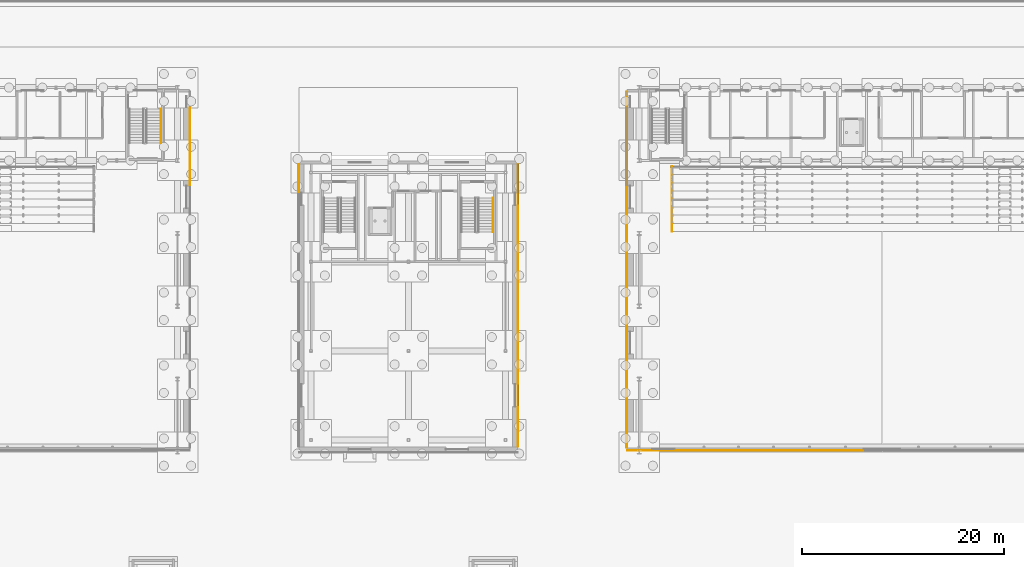
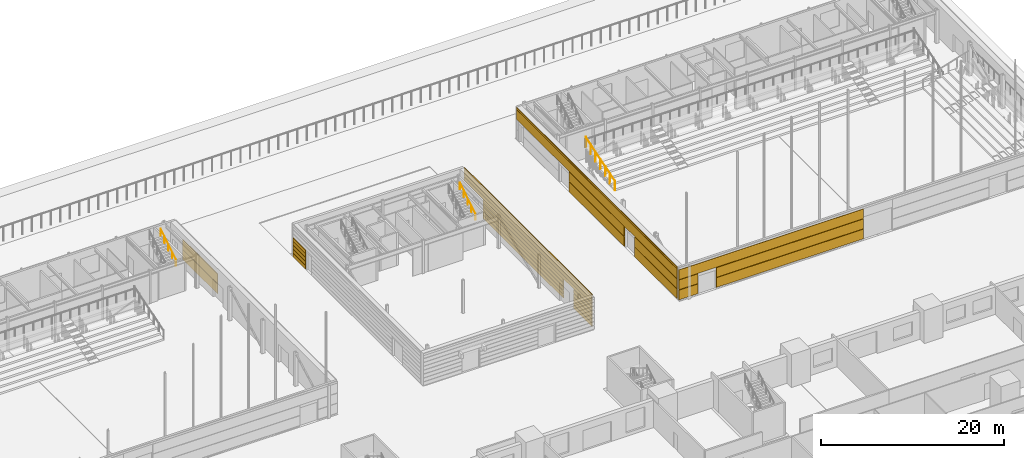
# One storey, part 128 of 139: 32 coverings, 3 railings.
"""IFC4 building model written with IfcOpenShell, lengths in metres."""

import ifcopenshell
import ifcopenshell.guid

model = None  # the IFC model being written
_history = None  # IfcOwnerHistory: only IFC2X3 demands one
_inside = {}  # id of a spatial element -> (the spatial element, [elements in it])
_under = {}  # id of a project, library or spatial element -> (it, [spatial elements below it])
_declared = {}  # id of a project -> (the project, [libraries it declares])
_typed = {}  # id of a type object -> (the type object, [elements of that type])
_made_of = {}  # id of a material, layer set ... -> (it, [elements and type objects made of it])


def new_model(schema):
    """Start an empty IFC model of exactly this schema.

    Asked for "IFC4X3", IfcOpenShell would pick the latest addendum, in which some entities
    have other attributes; the version numbers below select the first issue.
    IFC2X3 requires an IfcOwnerHistory on every rooted entity: one is made here for all.
    """
    global model, _history
    if schema == "IFC4X3":
        model = ifcopenshell.file(schema_version=(4, 3, 0, 0))
    else:
        model = ifcopenshell.file(schema=schema)
    _inside.clear()
    _under.clear()
    _declared.clear()
    _typed.clear()
    _made_of.clear()
    _history = None
    if model.schema == "IFC2X3":
        org = make("IfcOrganization", Name="unknown")
        user = make(
            "IfcPersonAndOrganization",
            ThePerson=make("IfcPerson", FamilyName="unknown"),
            TheOrganization=org,
        )
        app = make(
            "IfcApplication",
            ApplicationDeveloper=org,
            Version="unknown",
            ApplicationFullName="unknown",
            ApplicationIdentifier="unknown",
        )
        _history = make(
            "IfcOwnerHistory",
            OwningUser=user,
            OwningApplication=app,
            ChangeAction="ADDED",
            CreationDate=0,
        )
    return model


def make(cls, **values):
    """One entity of the class cls with the attributes given. An attribute that is None is left unset."""
    return model.create_entity(
        cls, **{name: value for name, value in values.items() if value is not None}
    )


def rooted(cls, **values):
    """An entity with a GlobalId (a new one), such as an element, a storey or a relation."""
    return make(cls, GlobalId=ifcopenshell.guid.new(), OwnerHistory=_history, **values)


def si_unit(unit_type, name, prefix=None):
    """IfcSIUnit, for example si_unit("LENGTHUNIT", "METRE", prefix="MILLI")."""
    return make("IfcSIUnit", UnitType=unit_type, Prefix=prefix, Name=name)


def assignment(units):
    """IfcUnitAssignment: the units of a project."""
    return None if units is None else make("IfcUnitAssignment", Units=units)


def point(xyz):
    """IfcCartesianPoint."""
    return None if xyz is None else make("IfcCartesianPoint", Coordinates=xyz)


def direction(xyz):
    """IfcDirection."""
    return None if xyz is None else make("IfcDirection", DirectionRatios=xyz)


def frame(location, z_axis=None, x_axis=None):
    """IfcAxis2Placement3D, a coordinate frame: its origin and axes. An axis left out is left unset."""
    return make(
        "IfcAxis2Placement3D",
        Location=point(location),
        Axis=direction(z_axis),
        RefDirection=direction(x_axis),
    )


def frame_2d(location, x_axis=None):
    """IfcAxis2Placement2D, a coordinate frame in the plane: its origin and x axis."""
    return make(
        "IfcAxis2Placement2D", Location=point(location), RefDirection=direction(x_axis)
    )


def origin():
    """The frame at (0, 0, 0) with its axes left unset."""
    return frame((0.0, 0.0, 0.0))


def origin_2d():
    """The frame at (0, 0) in the plane with its x axis left unset."""
    return frame_2d((0.0, 0.0))


def place(relative_to, where):
    """IfcLocalPlacement: puts the frame where relative to a parent placement (None: the world)."""
    return make(
        "IfcLocalPlacement", PlacementRelTo=relative_to, RelativePlacement=where
    )


def context(
    kind, dimensions, precision=None, world=None, true_north=None, identifier=None
):
    """IfcGeometricRepresentationContext, for example the 3D "Model" context."""
    return make(
        "IfcGeometricRepresentationContext",
        ContextIdentifier=identifier,
        ContextType=kind,
        CoordinateSpaceDimension=dimensions,
        Precision=precision,
        WorldCoordinateSystem=world,
        TrueNorth=true_north,
    )


def subcontext(parent, identifier, kind, view, scale=None):
    """IfcGeometricRepresentationSubContext, for example "Body" below "Model"."""
    return make(
        "IfcGeometricRepresentationSubContext",
        ContextIdentifier=identifier,
        ContextType=kind,
        ParentContext=parent,
        TargetScale=scale,
        TargetView=view,
    )


def project(units=None, contexts=None):
    """IfcProject with its units and contexts."""
    return rooted(
        "IfcProject",
        Name="project",
        RepresentationContexts=contexts,
        UnitsInContext=assignment(units),
    )


def spatial(cls, under=None, at=None, **own):
    """A site, building, storey or space (cls), placed at a placement, below another one or the project."""
    s = rooted(cls, ObjectPlacement=at, **own)
    if under is not None:
        _under.setdefault(under.id(), (under, []))[1].append(s)
    return s


def profile(cls, at=None, kind="AREA", **sizes):
    """A parametric profile (cls). Its sizes go by their IFC names, for example OverallWidth=200.0."""
    return make(cls, ProfileType=kind, Position=at, **sizes)


def rectangle(**sizes):
    """IfcRectangleProfileDef."""
    return profile("IfcRectangleProfileDef", **sizes)


def circle(**sizes):
    """IfcCircleProfileDef."""
    return profile("IfcCircleProfileDef", **sizes)


def extrude(swept, where, along, depth):
    """IfcExtrudedAreaSolid: the profile swept, set in the frame where, extruded along a direction by depth."""
    return make(
        "IfcExtrudedAreaSolid",
        SweptArea=swept,
        Position=where,
        ExtrudedDirection=direction(along),
        Depth=depth,
    )


def shape(context_of_items, identifier, shape_type, items):
    """IfcShapeRepresentation: the items that make up one representation, for example the "Body"."""
    return make(
        "IfcShapeRepresentation",
        ContextOfItems=context_of_items,
        RepresentationIdentifier=identifier,
        RepresentationType=shape_type,
        Items=items,
    )


def material(Name=None, Category=None):
    """IfcMaterial."""
    return make("IfcMaterial", Name=Name, Category=Category)


def layer(
    of_material, thickness, ventilated=None, Name=None, Category=None, Priority=None
):
    """IfcMaterialLayer: one layer of a wall or slab, of a material (None: an air gap)."""
    return make(
        "IfcMaterialLayer",
        Material=of_material,
        LayerThickness=thickness,
        IsVentilated=ventilated,
        Name=Name,
        Category=Category,
        Priority=Priority,
    )


def layer_set(layers, Name=None):
    """IfcMaterialLayerSet."""
    return make("IfcMaterialLayerSet", MaterialLayers=layers, LayerSetName=Name)


def made_of(thing, what):
    """Note that an element or type object is made of a material, layer set ...; save() writes the relation."""
    if what is not None:
        _made_of.setdefault(what.id(), (what, []))[1].append(thing)
    return thing


def type_object(cls, material=None, **own):
    """A type object (cls), such as IfcWallType, which elements share."""
    return made_of(rooted(cls, **own), material)


def element(
    cls,
    number,
    at=None,
    inside=None,
    cuts=None,
    type_object=None,
    material=None,
    context=None,
    identifier="Body",
    shape_type=None,
    held_by="IfcProductDefinitionShape",
    body=None,
    shapes=None,
    **own,
):
    """One element of the class cls, such as IfcWall. Its Tag is "e" and its number.

    at: its placement. inside: the storey or other place that contains it. cuts: it is an
    opening in that element (IfcRelVoidsElement). A single representation is given by context,
    identifier, shape_type and body (its items); several are given by shapes. held_by: the class
    of the entity that holds the representations. save() writes the other relations.
    """
    e = rooted(cls, Tag="e%d" % number, ObjectPlacement=at, **own)
    if body is not None:
        shapes = [shape(context, identifier, shape_type, body)]
    if shapes is not None:
        e.Representation = make(held_by, Representations=shapes)
    if inside is not None:
        _inside.setdefault(inside.id(), (inside, []))[1].append(e)
    if cuts is not None:
        rooted(
            "IfcRelVoidsElement", RelatingBuildingElement=cuts, RelatedOpeningElement=e
        )
    if type_object is not None:
        _typed.setdefault(type_object.id(), (type_object, []))[1].append(e)
    return made_of(e, material)


def aggregate(whole, parts):
    """IfcRelAggregates: a whole, such as a stair, and the parts it consists of."""
    return rooted("IfcRelAggregates", RelatingObject=whole, RelatedObjects=parts)


def save(model, path):
    """Write the relations noted so far, then the file.

    IfcRelAggregates (storeys below a building ...), IfcRelContainedInSpatialStructure (elements
    in a storey), IfcRelDefinesByType, IfcRelAssociatesMaterial and IfcRelDeclares: one each for
    every whole, place, type object, material and project.
    """
    for whole, parts in _under.values():
        aggregate(whole, parts)
    for where, things in _inside.values():
        rooted(
            "IfcRelContainedInSpatialStructure",
            RelatedElements=things,
            RelatingStructure=where,
        )
    for kind, things in _typed.values():
        rooted("IfcRelDefinesByType", RelatedObjects=things, RelatingType=kind)
    for what, things in _made_of.values():
        rooted("IfcRelAssociatesMaterial", RelatedObjects=things, RelatingMaterial=what)
    for by, libraries in _declared.values():
        rooted("IfcRelDeclares", RelatingContext=by, RelatedDefinitions=libraries)
    model.write(path)


model = new_model("IFC4")

# Units and contexts
model_context = context("Model", 3, precision=1e-05, world=origin(), true_north=direction((0.0, 1.0)))
body_context = subcontext(model_context, "Body", "Model", "MODEL_VIEW")
ifc_project = project(units=[si_unit("LENGTHUNIT", "METRE"), si_unit("AREAUNIT", "SQUARE_METRE"), si_unit("VOLUMEUNIT", "CUBIC_METRE"), si_unit("PLANEANGLEUNIT", "RADIAN"), si_unit("MASSUNIT", "GRAM", prefix="KILO")], contexts=[model_context])

# Site, building, storey
site_placement = place(None, origin())
site = spatial("IfcSite", under=ifc_project, at=site_placement, CompositionType="ELEMENT")
building_placement = place(site_placement, origin())
building = spatial("IfcBuilding", under=site, at=building_placement, Name="Verrick Yard Athletic Hall", CompositionType="ELEMENT")
storey_placement = place(building_placement, origin())
storey = spatial("IfcBuildingStorey", under=building, at=storey_placement, Name="L00", CompositionType="ELEMENT", Elevation=0.0)

# Railings
ifc_material_1 = material(Name="Stainless steel 316", Category="steel")
railing_type_1 = type_object("IfcRailingType", Name="HB seating guard 1100", PredefinedType="GUARDRAIL", material=ifc_material_1)
railing_placement = place(storey_placement, frame((124.85009765625, 93.800048828125, 0.0)))
element("IfcRailing", 1, at=railing_placement, inside=storey, type_object=railing_type_1, Name="HB-GD-RSA1-w", PredefinedType="GUARDRAIL", context=body_context, shape_type="SweptSolid", body=[
    extrude(circle(Radius=0.02392578125, at=origin_2d()), frame((0.0, 0.0, 1.326171875), z_axis=(0.0, 0.95447868226, 0.298279139585), x_axis=(-1.0, 0.0, 0.0)), (0.0, 0.0, 1.0), 6.705078125),
    extrude(circle(Radius=0.02099609375, at=origin_2d()), origin(), (0.0, 0.0, 1.0), 1.302001953125),
    extrude(circle(Radius=0.02099609375, at=origin_2d()), frame((0.0, 1.066650390625, 0.333251953125)), (0.0, 0.0, 1.0), 1.302001953125),
    extrude(circle(Radius=0.02099609375, at=origin_2d()), frame((0.0, 2.13330078125, 0.666748046875)), (0.0, 0.0, 1.0), 1.302001953125),
    extrude(circle(Radius=0.02099609375, at=origin_2d()), frame((0.0, 3.199951171875, 1.0)), (0.0, 0.0, 1.0), 1.302001953125),
    extrude(circle(Radius=0.02099609375, at=origin_2d()), frame((0.0, 4.2666015625, 1.333251953125)), (0.0, 0.0, 1.0), 1.302001953125),
    extrude(circle(Radius=0.02099609375, at=origin_2d()), frame((0.0, 5.333251953125, 1.666748046875)), (0.0, 0.0, 1.0), 1.302001953125),
    extrude(circle(Radius=0.02099609375, at=origin_2d()), frame((0.0, 6.39990234375, 2.0)), (0.0, 0.0, 1.0), 1.302001953125),
])
ifc_material_2 = material(Name="Stainless steel", Category="steel")
railing_type_2 = type_object("IfcRailingType", Name="Stair handrail 900", PredefinedType="HANDRAIL", material=ifc_material_2)
for number, where, name in (
    (2, (107.14990234375, 93.739990234375, 2.369140625), "L00 Climbing hall east stair handrail 2"),
    (3, (74.35009765625, 102.514892578125, 2.369140625), "L00 Sports Hall B east band stair handrail 2"),
):
    element("IfcRailing", number, at=place(storey_placement, frame(where)), inside=storey, type_object=railing_type_2, Name=name, PredefinedType="HANDRAIL", context=body_context, shape_type="SweptSolid", body=[
        extrude(circle(Radius=0.02392578125, at=origin_2d()), frame((0.0, 0.0, 0.8759765625), z_axis=(0.0, 0.855836976705, 0.517245656632), x_axis=(-1.0, 0.0, 0.0)), (0.0, 0.0, 1.0), 3.926025390625),
        extrude(circle(Radius=0.02099609375, at=origin_2d()), origin(), (0.0, 0.0, 1.0), 0.851806640625),
        extrude(circle(Radius=0.02099609375, at=origin_2d()), frame((0.0, 0.840087890625, 0.5078125)), (0.0, 0.0, 1.0), 0.851806640625),
        extrude(circle(Radius=0.02099609375, at=origin_2d()), frame((0.0, 1.68017578125, 1.015380859375)), (0.0, 0.0, 1.0), 0.851806640625),
        extrude(circle(Radius=0.02099609375, at=origin_2d()), frame((0.0, 2.52001953125, 1.52294921875)), (0.0, 0.0, 1.0), 0.851806640625),
        extrude(circle(Radius=0.02099609375, at=origin_2d()), frame((0.0, 3.360107421875, 2.03076171875)), (0.0, 0.0, 1.0), 0.851806640625),
    ])

# Coverings
ifc_material_3 = material(Name="Tyndall-stone-look precast cladding", Category="masonry")
ifc_layer_1 = layer(ifc_material_3, 0.125)
ifc_layer_set_1 = layer_set([ifc_layer_1], Name="Stone cladding")
covering_type_1 = type_object("IfcCoveringType", Name="Stone cladding", PredefinedType="CLADDING", material=ifc_layer_set_1)
for number, where, z_axis, x_axis, name in (
    (4, (87.96240234375, 99.050048828125, 0.125), (0.0, 0.0, 1.0), (0.0, 1.0, 0.0), "Climbing hall rustication"),
    (5, (87.96240234375, 99.050048828125, 0.643798828125), (0.0, 0.0, 1.0), (0.0, 1.0, 0.0), "Climbing hall rustication"),
    (6, (87.96240234375, 99.050048828125, 1.16259765625), (0.0, 0.0, 1.0), (0.0, 1.0, 0.0), "Climbing hall rustication"),
    (7, (87.96240234375, 99.050048828125, 1.68115234375), (0.0, 0.0, 1.0), (0.0, 1.0, 0.0), "Climbing hall rustication"),
    (8, (87.96240234375, 99.050048828125, 2.199951171875), (0.0, 0.0, 1.0), (0.0, 1.0, 0.0), "Climbing hall rustication"),
):
    element("IfcCovering", number, at=place(storey_placement, frame(where, z_axis=z_axis, x_axis=x_axis)), inside=storey, type_object=covering_type_1, Name=name, PredefinedType="CLADDING", context=body_context, shape_type="SweptSolid", body=[
        extrude(rectangle(XDim=2.800048828125, YDim=0.074951171875, at=origin_2d()), origin(), (0.0, 0.0, 1.0), 0.46875),
    ])
covering_1_placement = place(storey_placement, frame((109.637451171875, 74.47509765625, 0.125), z_axis=(0.0, 0.0, 1.0), x_axis=(0.0, 1.0, 0.0)))
element("IfcCovering", 9, at=covering_1_placement, inside=storey, type_object=covering_type_1, Name="Climbing hall rustication", PredefinedType="CLADDING", context=body_context, shape_type="SweptSolid", body=[
    extrude(rectangle(XDim=3.949951171875, YDim=0.074951171875, at=origin_2d()), origin(), (0.0, 0.0, 1.0), 0.46875),
])
covering_2_placement = place(storey_placement, frame((109.637451171875, 87.550048828125, 0.125), z_axis=(0.0, 0.0, 1.0), x_axis=(0.0, 1.0, 0.0)))
element("IfcCovering", 10, at=covering_2_placement, inside=storey, type_object=covering_type_1, Name="Climbing hall rustication", PredefinedType="CLADDING", context=body_context, shape_type="SweptSolid", body=[
    extrude(rectangle(XDim=17.60009765625, YDim=0.074951171875, at=origin_2d()), origin(), (0.0, 0.0, 1.0), 0.46875),
])
covering_3_placement = place(storey_placement, frame((109.637451171875, 74.47509765625, 0.643798828125), z_axis=(0.0, 0.0, 1.0), x_axis=(0.0, 1.0, 0.0)))
element("IfcCovering", 11, at=covering_3_placement, inside=storey, type_object=covering_type_1, Name="Climbing hall rustication", PredefinedType="CLADDING", context=body_context, shape_type="SweptSolid", body=[
    extrude(rectangle(XDim=3.949951171875, YDim=0.074951171875, at=origin_2d()), origin(), (0.0, 0.0, 1.0), 0.46875),
])
covering_4_placement = place(storey_placement, frame((109.637451171875, 87.550048828125, 0.643798828125), z_axis=(0.0, 0.0, 1.0), x_axis=(0.0, 1.0, 0.0)))
element("IfcCovering", 12, at=covering_4_placement, inside=storey, type_object=covering_type_1, Name="Climbing hall rustication", PredefinedType="CLADDING", context=body_context, shape_type="SweptSolid", body=[
    extrude(rectangle(XDim=17.60009765625, YDim=0.074951171875, at=origin_2d()), origin(), (0.0, 0.0, 1.0), 0.46875),
])
covering_5_placement = place(storey_placement, frame((109.637451171875, 74.47509765625, 1.16259765625), z_axis=(0.0, 0.0, 1.0), x_axis=(0.0, 1.0, 0.0)))
element("IfcCovering", 13, at=covering_5_placement, inside=storey, type_object=covering_type_1, Name="Climbing hall rustication", PredefinedType="CLADDING", context=body_context, shape_type="SweptSolid", body=[
    extrude(rectangle(XDim=3.949951171875, YDim=0.074951171875, at=origin_2d()), origin(), (0.0, 0.0, 1.0), 0.46875),
])
covering_6_placement = place(storey_placement, frame((109.637451171875, 87.550048828125, 1.16259765625), z_axis=(0.0, 0.0, 1.0), x_axis=(0.0, 1.0, 0.0)))
element("IfcCovering", 14, at=covering_6_placement, inside=storey, type_object=covering_type_1, Name="Climbing hall rustication", PredefinedType="CLADDING", context=body_context, shape_type="SweptSolid", body=[
    extrude(rectangle(XDim=17.60009765625, YDim=0.074951171875, at=origin_2d()), origin(), (0.0, 0.0, 1.0), 0.46875),
])
covering_7_placement = place(storey_placement, frame((109.637451171875, 74.47509765625, 1.68115234375), z_axis=(0.0, 0.0, 1.0), x_axis=(0.0, 1.0, 0.0)))
element("IfcCovering", 15, at=covering_7_placement, inside=storey, type_object=covering_type_1, Name="Climbing hall rustication", PredefinedType="CLADDING", context=body_context, shape_type="SweptSolid", body=[
    extrude(rectangle(XDim=3.949951171875, YDim=0.074951171875, at=origin_2d()), origin(), (0.0, 0.0, 1.0), 0.46875),
])
covering_8_placement = place(storey_placement, frame((109.637451171875, 87.550048828125, 1.68115234375), z_axis=(0.0, 0.0, 1.0), x_axis=(0.0, 1.0, 0.0)))
element("IfcCovering", 16, at=covering_8_placement, inside=storey, type_object=covering_type_1, Name="Climbing hall rustication", PredefinedType="CLADDING", context=body_context, shape_type="SweptSolid", body=[
    extrude(rectangle(XDim=17.60009765625, YDim=0.074951171875, at=origin_2d()), origin(), (0.0, 0.0, 1.0), 0.46875),
])
covering_9_placement = place(storey_placement, frame((109.637451171875, 74.47509765625, 2.199951171875), z_axis=(0.0, 0.0, 1.0), x_axis=(0.0, 1.0, 0.0)))
element("IfcCovering", 17, at=covering_9_placement, inside=storey, type_object=covering_type_1, Name="Climbing hall rustication", PredefinedType="CLADDING", context=body_context, shape_type="SweptSolid", body=[
    extrude(rectangle(XDim=3.949951171875, YDim=0.074951171875, at=origin_2d()), origin(), (0.0, 0.0, 1.0), 0.46875),
])
covering_10_placement = place(storey_placement, frame((109.637451171875, 87.550048828125, 2.199951171875), z_axis=(0.0, 0.0, 1.0), x_axis=(0.0, 1.0, 0.0)))
element("IfcCovering", 18, at=covering_10_placement, inside=storey, type_object=covering_type_1, Name="Climbing hall rustication", PredefinedType="CLADDING", context=body_context, shape_type="SweptSolid", body=[
    extrude(rectangle(XDim=17.60009765625, YDim=0.074951171875, at=origin_2d()), origin(), (0.0, 0.0, 1.0), 0.46875),
])
for number, where, z_axis, x_axis, name in (
    (19, (109.637451171875, 86.47509765625, 2.71875), (0.0, 0.0, 1.0), (0.0, 1.0, 0.0), "Climbing hall rustication"),
    (20, (109.637451171875, 86.47509765625, 3.237548828125), (0.0, 0.0, 1.0), (0.0, 1.0, 0.0), "Climbing hall rustication"),
    (21, (109.637451171875, 86.47509765625, 3.75634765625), (0.0, 0.0, 1.0), (0.0, 1.0, 0.0), "Climbing hall rustication"),
):
    element("IfcCovering", number, at=place(storey_placement, frame(where, z_axis=z_axis, x_axis=x_axis)), inside=storey, type_object=covering_type_1, Name=name, PredefinedType="CLADDING", context=body_context, shape_type="SweptSolid", body=[
        extrude(rectangle(XDim=27.949951171875, YDim=0.074951171875, at=origin_2d()), origin(), (0.0, 0.0, 1.0), 0.46875),
    ])
covering_11_placement = place(storey_placement, frame((120.362548828125, 77.03466796875, 0.125), z_axis=(0.0, 0.0, 1.0), x_axis=(0.0, 1.0, 0.0)))
element("IfcCovering", 22, at=covering_11_placement, inside=storey, type_object=covering_type_1, Name="Hall base rustication", PredefinedType="CLADDING", context=body_context, shape_type="SweptSolid", body=[
    extrude(rectangle(XDim=9.232421875, YDim=0.074951171875, at=origin_2d()), origin(), (0.0, 0.0, 1.0), 1.300048828125),
])
covering_12_placement = place(storey_placement, frame((120.362548828125, 90.0009765625, 0.125), z_axis=(0.0, 0.0, 1.0), x_axis=(0.0, 1.0, 0.0)))
element("IfcCovering", 23, at=covering_12_placement, inside=storey, type_object=covering_type_1, Name="Hall base rustication", PredefinedType="CLADDING", context=body_context, shape_type="SweptSolid", body=[
    extrude(rectangle(XDim=12.10009765625, YDim=0.074951171875, at=origin_2d()), origin(), (0.0, 0.0, 1.0), 1.300048828125),
])
covering_13_placement = place(storey_placement, frame((120.362548828125, 77.03466796875, 1.47509765625), z_axis=(0.0, 0.0, 1.0), x_axis=(0.0, 1.0, 0.0)))
element("IfcCovering", 24, at=covering_13_placement, inside=storey, type_object=covering_type_1, Name="Hall base rustication", PredefinedType="CLADDING", context=body_context, shape_type="SweptSolid", body=[
    extrude(rectangle(XDim=9.232421875, YDim=0.074951171875, at=origin_2d()), origin(), (0.0, 0.0, 1.0), 1.300048828125),
])
covering_14_placement = place(storey_placement, frame((120.362548828125, 90.0009765625, 1.47509765625), z_axis=(0.0, 0.0, 1.0), x_axis=(0.0, 1.0, 0.0)))
element("IfcCovering", 25, at=covering_14_placement, inside=storey, type_object=covering_type_1, Name="Hall base rustication", PredefinedType="CLADDING", context=body_context, shape_type="SweptSolid", body=[
    extrude(rectangle(XDim=12.10009765625, YDim=0.074951171875, at=origin_2d()), origin(), (0.0, 0.0, 1.0), 1.300048828125),
])
covering_15_placement = place(storey_placement, frame((120.362548828125, 90.0, 2.8251953125), z_axis=(0.0, 0.0, 1.0), x_axis=(0.0, 1.0, 0.0)))
element("IfcCovering", 26, at=covering_15_placement, inside=storey, type_object=covering_type_1, Name="Hall base rustication", PredefinedType="CLADDING", context=body_context, shape_type="SweptSolid", body=[
    extrude(rectangle(XDim=35.163330078125, YDim=0.074951171875, at=origin_2d()), origin(), (0.0, 0.0, 1.0), 1.300048828125),
])
covering_16_placement = place(storey_placement, frame((121.625, 72.146484375, 0.125), z_axis=(0.0, 0.0, 1.0), x_axis=(1.0, 0.0, 0.0)))
element("IfcCovering", 27, at=covering_16_placement, inside=storey, type_object=covering_type_1, Name="Hall front rustication", PredefinedType="CLADDING", context=body_context, shape_type="SweptSolid", body=[
    extrude(rectangle(XDim=2.449951171875, YDim=0.074951171875, at=origin_2d()), origin(), (0.0, 0.0, 1.0), 1.300048828125),
])
covering_17_placement = place(storey_placement, frame((134.449951171875, 72.146484375, 0.125), z_axis=(0.0, 0.0, 1.0), x_axis=(1.0, 0.0, 0.0)))
element("IfcCovering", 28, at=covering_17_placement, inside=storey, type_object=covering_type_1, Name="Hall front rustication", PredefinedType="CLADDING", context=body_context, shape_type="SweptSolid", body=[
    extrude(rectangle(XDim=18.60009765625, YDim=0.074951171875, at=origin_2d()), origin(), (0.0, 0.0, 1.0), 1.300048828125),
])
covering_18_placement = place(storey_placement, frame((121.625, 72.146484375, 1.47509765625), z_axis=(0.0, 0.0, 1.0), x_axis=(1.0, 0.0, 0.0)))
element("IfcCovering", 29, at=covering_18_placement, inside=storey, type_object=covering_type_1, Name="Hall front rustication", PredefinedType="CLADDING", context=body_context, shape_type="SweptSolid", body=[
    extrude(rectangle(XDim=2.449951171875, YDim=0.074951171875, at=origin_2d()), origin(), (0.0, 0.0, 1.0), 1.300048828125),
])
covering_19_placement = place(storey_placement, frame((134.449951171875, 72.146484375, 1.47509765625), z_axis=(0.0, 0.0, 1.0), x_axis=(1.0, 0.0, 0.0)))
element("IfcCovering", 30, at=covering_19_placement, inside=storey, type_object=covering_type_1, Name="Hall front rustication", PredefinedType="CLADDING", context=body_context, shape_type="SweptSolid", body=[
    extrude(rectangle(XDim=18.60009765625, YDim=0.074951171875, at=origin_2d()), origin(), (0.0, 0.0, 1.0), 1.300048828125),
])
covering_20_placement = place(storey_placement, frame((132.074951171875, 72.146484375, 2.8251953125), z_axis=(0.0, 0.0, 1.0), x_axis=(1.0, 0.0, 0.0)))
element("IfcCovering", 31, at=covering_20_placement, inside=storey, type_object=covering_type_1, Name="Hall front rustication", PredefinedType="CLADDING", context=body_context, shape_type="SweptSolid", body=[
    extrude(rectangle(XDim=23.35009765625, YDim=0.074951171875, at=origin_2d()), origin(), (0.0, 0.0, 1.0), 1.300048828125),
])
for number, where, z_axis, x_axis, name in (
    (32, (77.237548828125, 102.17578125, 0.125), (0.0, 0.0, 1.0), (0.0, 1.0, 0.0), "Hall base rustication"),
    (33, (77.237548828125, 102.17578125, 1.47509765625), (0.0, 0.0, 1.0), (0.0, 1.0, 0.0), "Hall base rustication"),
):
    element("IfcCovering", number, at=place(storey_placement, frame(where, z_axis=z_axis, x_axis=x_axis)), inside=storey, type_object=covering_type_1, Name=name, PredefinedType="CLADDING", context=body_context, shape_type="SweptSolid", body=[
        extrude(rectangle(XDim=7.64990234375, YDim=0.074951171875, at=origin_2d()), origin(), (0.0, 0.0, 1.0), 1.300048828125),
    ])
ifc_layer_2 = layer(ifc_material_3, 0.25)
ifc_layer_set_2 = layer_set([ifc_layer_2], Name="Stone moulding")
covering_type_2 = type_object("IfcCoveringType", Name="Stone moulding", PredefinedType="MOLDING", material=ifc_layer_set_2)
covering_21_placement = place(storey_placement, frame((109.64990234375, 86.47509765625, 4.14990234375), z_axis=(0.0, 0.0, 1.0), x_axis=(0.0, 1.0, 0.0)))
element("IfcCovering", 34, at=covering_21_placement, inside=storey, type_object=covering_type_2, Name="String course", PredefinedType="MOLDING", context=body_context, shape_type="SweptSolid", body=[
    extrude(rectangle(XDim=27.949951171875, YDim=0.10009765625, at=origin_2d()), origin(), (0.0, 0.0, 1.0), 0.25),
])
covering_22_placement = place(storey_placement, frame((120.362548828125, 90.0, 4.14990234375), z_axis=(0.0, 0.0, 1.0), x_axis=(0.0, 1.0, 0.0)))
element("IfcCovering", 35, at=covering_22_placement, inside=storey, type_object=covering_type_2, Name="String course", PredefinedType="MOLDING", context=body_context, shape_type="SweptSolid", body=[
    extrude(rectangle(XDim=35.163330078125, YDim=0.074951171875, at=origin_2d()), origin(), (0.0, 0.0, 1.0), 0.25),
])

save(model, "model.ifc")
